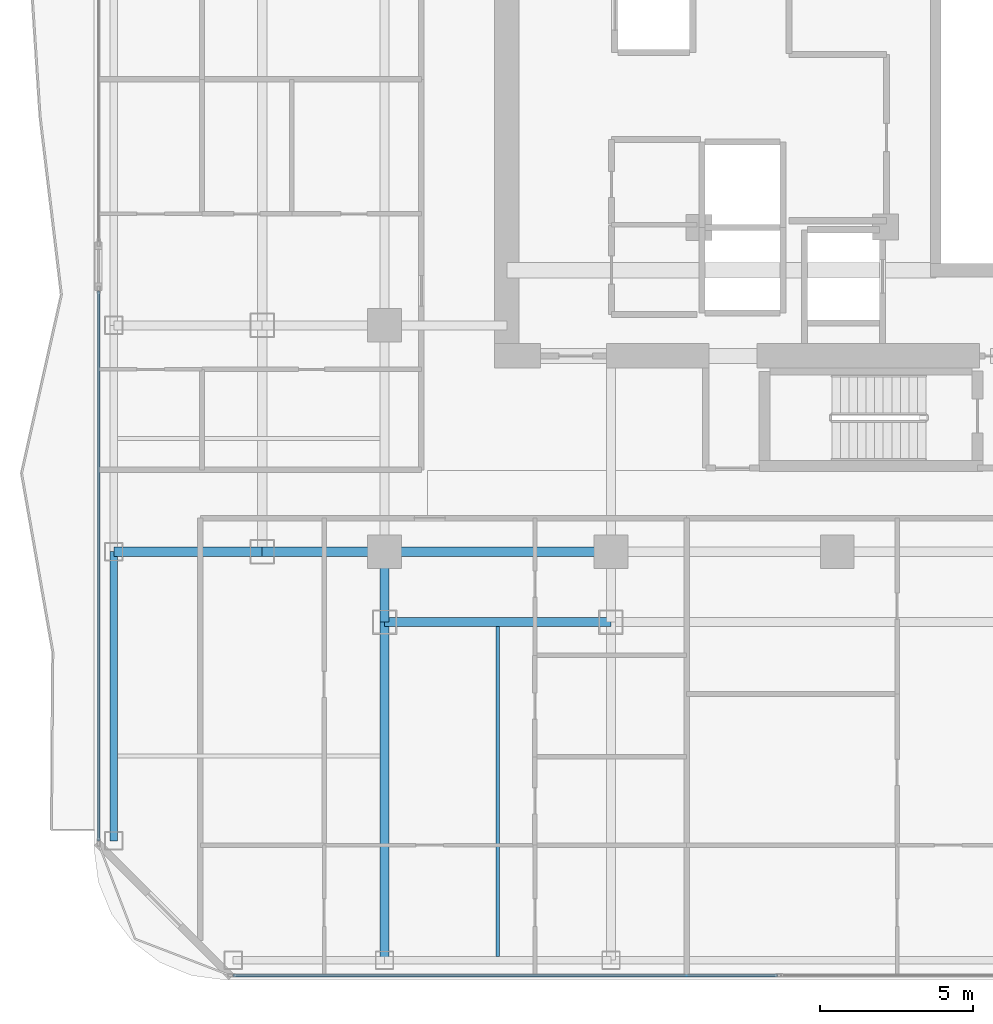
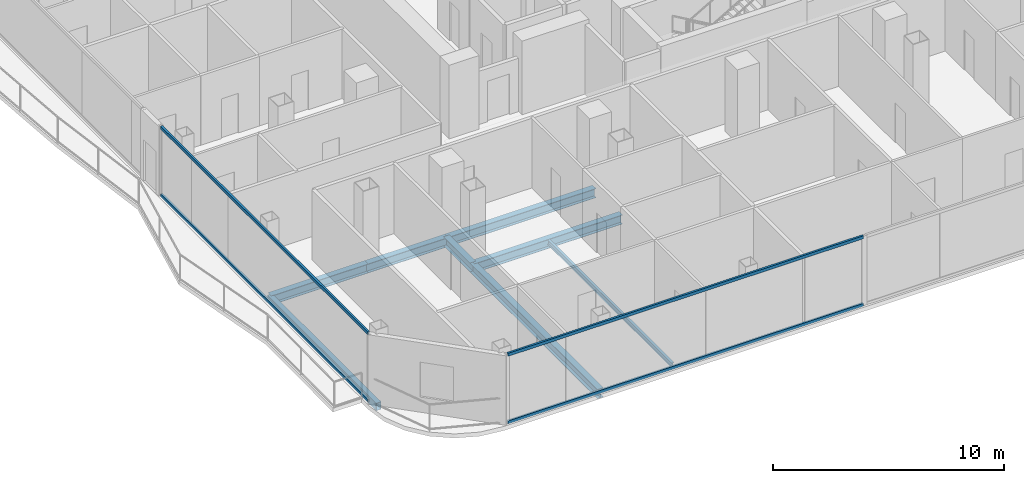
# One storey, part 3 of 23: 8 beams, 4 members, 2 elements without a shape of their own.
"""IFC4 building model written with IfcOpenShell, lengths in metres."""

from ifc_helpers import new_model, si_unit, direction, frame, origin, origin_2d, place, context, subcontext, project, spatial, hollow_rectangle, i_section, extrude, material, layer, layer_set, material_profile, profile_set, type_object, element, aggregate, save


model = new_model("IFC4")

# Units and contexts
model_context = context("Model", 3, precision=1e-05, world=origin(), true_north=direction((0.0, 1.0)))
body_context = subcontext(model_context, "Body", "Model", "MODEL_VIEW")
ifc_project = project(units=[si_unit("LENGTHUNIT", "METRE"), si_unit("AREAUNIT", "SQUARE_METRE"), si_unit("VOLUMEUNIT", "CUBIC_METRE"), si_unit("PLANEANGLEUNIT", "RADIAN"), si_unit("MASSUNIT", "GRAM", prefix="KILO")], contexts=[model_context])

# Site, building, storey
site_placement = place(None, origin())
site = spatial("IfcSite", under=ifc_project, at=site_placement, CompositionType="ELEMENT")
building_placement = place(site_placement, origin())
building = spatial("IfcBuilding", under=site, at=building_placement, Name="Khorvyn Point Tower", CompositionType="ELEMENT")
storey_placement = place(building_placement, frame((0.0, 0.0, 195.300048828125)))
storey = spatial("IfcBuildingStorey", under=building, at=storey_placement, Name="L48", CompositionType="ELEMENT", Elevation=195.300048828125)

# Curtain wall, members
ifc_material_1 = material(Name="Anodised aluminium 6063-T6 and laminated Low-E glass", Category="aluminium")
ifc_layer = layer(ifc_material_1, 0.18994140625)
ifc_layer_set = layer_set([ifc_layer], Name="Stick-Built Acoustic Curtain Wall CW-SYS-03")
curtain_wall_type = type_object("IfcCurtainWallType", Name="Stick-Built Acoustic Curtain Wall CW-SYS-03", PredefinedType="NOTDEFINED", material=ifc_layer_set)
curtain_wall_1_placement = place(storey_placement, origin())
curtain_wall_1 = element("IfcCurtainWall", 1, at=curtain_wall_1_placement, inside=storey, type_object=curtain_wall_type, Name="Curtain Wall", PredefinedType="NOTDEFINED")
ifc_material_2 = material(Name="Anodised aluminium 6063-T6", Category="aluminium")
ifc_material_profile_1 = material_profile(ifc_material_2, hollow_rectangle(XDim=0.10009765625, YDim=0.159912109375, WallThickness=0.00439453125, at=origin_2d()))
ifc_profile_set_1 = profile_set([ifc_material_profile_1], Name="Anodised aluminium 6063-T6 ALU-TRN-100x160")
member_type = type_object("IfcMemberType", Name="Anodised Aluminium 6063-T6 Transom ALU-TRN-100x160", PredefinedType="USERDEFINED", material=ifc_profile_set_1)
member_1_placement = place(storey_placement, frame((-1.949951171875, -28.64990234375, 0.050048828125), z_axis=(-1.0, 0.0, 0.0), x_axis=(0.0, -1.0, 0.0)))
member_1 = element("IfcMember", 2, at=member_1_placement, type_object=member_type, Name="Transom", ObjectType="TRANSOM", PredefinedType="USERDEFINED", context=body_context, shape_type="SweptSolid", body=[
    extrude(hollow_rectangle(XDim=0.10009765625, YDim=0.159912109375, WallThickness=0.00439453125, at=origin_2d()), origin(), (0.0, 0.0, 1.0), 17.800048828125),
])
member_2_placement = place(storey_placement, frame((-1.949951171875, -28.64990234375, 3.6298828125), z_axis=(-1.0, 0.0, 0.0), x_axis=(0.0, -1.0, 0.0)))
member_2 = element("IfcMember", 3, at=member_2_placement, type_object=member_type, Name="Transom", ObjectType="TRANSOM", PredefinedType="USERDEFINED", context=body_context, shape_type="SweptSolid", body=[
    extrude(hollow_rectangle(XDim=0.10009765625, YDim=0.159912109375, WallThickness=0.00439453125, at=origin_2d()), origin(), (0.0, 0.0, 1.0), 17.800048828125),
])
aggregate(curtain_wall_1, [member_1, member_2])

curtain_wall_2_placement = place(storey_placement, origin())
curtain_wall_2 = element("IfcCurtainWall", 4, at=curtain_wall_2_placement, inside=storey, type_object=curtain_wall_type, Name="Curtain Wall", PredefinedType="NOTDEFINED")
member_3_placement = place(storey_placement, frame((-24.14990234375, -24.25, 0.050048828125), z_axis=(0.0, 1.0, 0.0), x_axis=(-1.0, 0.0, 0.0)))
member_3 = element("IfcMember", 5, at=member_3_placement, type_object=member_type, Name="Transom", ObjectType="TRANSOM", PredefinedType="USERDEFINED", context=body_context, shape_type="SweptSolid", body=[
    extrude(hollow_rectangle(XDim=0.10009765625, YDim=0.159912109375, WallThickness=0.00439453125, at=origin_2d()), origin(), (0.0, 0.0, 1.0), 17.966064453125),
])
member_4_placement = place(storey_placement, frame((-24.14990234375, -24.25, 3.6298828125), z_axis=(0.0, 1.0, 0.0), x_axis=(-1.0, 0.0, 0.0)))
member_4 = element("IfcMember", 6, at=member_4_placement, type_object=member_type, Name="Transom", ObjectType="TRANSOM", PredefinedType="USERDEFINED", context=body_context, shape_type="SweptSolid", body=[
    extrude(hollow_rectangle(XDim=0.10009765625, YDim=0.159912109375, WallThickness=0.00439453125, at=origin_2d()), origin(), (0.0, 0.0, 1.0), 17.966064453125),
])
aggregate(curtain_wall_2, [member_3, member_4])

# Beams
ifc_material_3 = material(Name="Steel S355", Category="steel")
ifc_material_profile_2 = material_profile(ifc_material_3, i_section(OverallWidth=0.125, OverallDepth=0.25, WebThickness=0.006103515625, FlangeThickness=0.009033203125, at=origin_2d()))
ifc_profile_set_2 = profile_set([ifc_material_profile_2], Name="Steel S355 H250x125x6x9")
beam_type_1 = type_object("IfcBeamType", Name="Steel S355 Joist H250x125x6x9", PredefinedType="JOIST", material=ifc_profile_set_2)
beam_1_placement = place(storey_placement, frame((-11.10009765625, -28.02490234375, -0.344970703125), z_axis=(0.0, 1.0, 0.0), x_axis=(-1.0, 0.0, 0.0)))
element("IfcBeam", 7, at=beam_1_placement, inside=storey, type_object=beam_type_1, Name="Beam", PredefinedType="JOIST", context=body_context, shape_type="SweptSolid", body=[
    extrude(i_section(OverallWidth=0.125, OverallDepth=0.25, WebThickness=0.006103515625, FlangeThickness=0.009033203125, at=origin_2d()), origin(), (0.0, 0.0, 1.0), 10.77490234375),
])
ifc_material_profile_3 = material_profile(ifc_material_3, i_section(OverallWidth=0.300048828125, OverallDepth=0.488037109375, WebThickness=0.010986328125, FlangeThickness=0.01806640625, at=origin_2d()))
ifc_profile_set_3 = profile_set([ifc_material_profile_3], Name="Steel S355 H488x300x11x18")
beam_type_2 = type_object("IfcBeamType", Name="Steel S355 Spandrel H488x300x11x18", PredefinedType="SPANDREL", material=ifc_profile_set_3)
beam_2_placement = place(storey_placement, frame((-23.64990234375, -14.800048828125, -0.464111328125), z_axis=(1.0, 0.0, 0.0), x_axis=(0.0, 1.0, 0.0)))
element("IfcBeam", 8, at=beam_2_placement, inside=storey, type_object=beam_type_2, Name="Beam", PredefinedType="SPANDREL", context=body_context, shape_type="SweptSolid", body=[
    extrude(i_section(OverallWidth=0.300048828125, OverallDepth=0.488037109375, WebThickness=0.010986328125, FlangeThickness=0.01806640625, at=origin_2d()), origin(), (0.0, 0.0, 1.0), 4.849853515625),
])
beam_3_placement = place(storey_placement, frame((-18.800048828125, -14.800048828125, -0.464111328125), z_axis=(1.0, 0.0, 0.0), x_axis=(0.0, 1.0, 0.0)))
element("IfcBeam", 9, at=beam_3_placement, inside=storey, type_object=beam_type_2, Name="Beam", PredefinedType="SPANDREL", context=body_context, shape_type="SweptSolid", body=[
    extrude(i_section(OverallWidth=0.300048828125, OverallDepth=0.488037109375, WebThickness=0.010986328125, FlangeThickness=0.01806640625, at=origin_2d()), origin(), (0.0, 0.0, 1.0), 4.0),
])
for number, where, z_axis, x_axis, name in (
    (10, (-14.800048828125, -14.800048828125, -0.464111328125), (1.0, 0.0, 0.0), (0.0, 1.0, 0.0), "Beam"),
    (11, (-14.800048828125, -17.10009765625, -0.464111328125), (1.0, 0.0, 0.0), (0.0, 1.0, 0.0), "Beam"),
):
    element("IfcBeam", number, at=place(storey_placement, frame(where, z_axis=z_axis, x_axis=x_axis)), inside=storey, type_object=beam_type_2, Name=name, PredefinedType="SPANDREL", context=body_context, shape_type="SweptSolid", body=[
        extrude(i_section(OverallWidth=0.300048828125, OverallDepth=0.488037109375, WebThickness=0.010986328125, FlangeThickness=0.01806640625, at=origin_2d()), origin(), (0.0, 0.0, 1.0), 7.400146484375),
    ])
beam_4_placement = place(storey_placement, frame((-14.800048828125, -28.14990234375, -0.464111328125), z_axis=(0.0, 1.0, 0.0), x_axis=(-1.0, 0.0, 0.0)))
element("IfcBeam", 12, at=beam_4_placement, inside=storey, type_object=beam_type_2, Name="Beam", PredefinedType="SPANDREL", context=body_context, shape_type="SweptSolid", body=[
    extrude(i_section(OverallWidth=0.300048828125, OverallDepth=0.488037109375, WebThickness=0.010986328125, FlangeThickness=0.01806640625, at=origin_2d()), origin(), (0.0, 0.0, 1.0), 11.0498046875),
])
beam_5_placement = place(storey_placement, frame((-14.800048828125, -17.10009765625, -0.464111328125), z_axis=(0.0, 1.0, 0.0), x_axis=(-1.0, 0.0, 0.0)))
element("IfcBeam", 13, at=beam_5_placement, inside=storey, type_object=beam_type_2, Name="Beam", PredefinedType="SPANDREL", context=body_context, shape_type="SweptSolid", body=[
    extrude(i_section(OverallWidth=0.300048828125, OverallDepth=0.488037109375, WebThickness=0.010986328125, FlangeThickness=0.01806640625, at=origin_2d()), origin(), (0.0, 0.0, 1.0), 2.300048828125),
])
ifc_material_profile_4 = material_profile(ifc_material_3, hollow_rectangle(XDim=0.25, YDim=0.39990234375, WallThickness=0.01611328125, at=origin_2d()))
ifc_profile_set_4 = profile_set([ifc_material_profile_4], Name="Steel S355 RHS400x250x16")
beam_type_3 = type_object("IfcBeamType", Name="Steel S355 Spandrel RHS400x250x16", PredefinedType="SPANDREL", material=ifc_profile_set_4)
beam_6_placement = place(storey_placement, frame((-23.64990234375, -24.25, -0.420166015625), z_axis=(0.0, 1.0, 0.0), x_axis=(-1.0, 0.0, 0.0)))
element("IfcBeam", 14, at=beam_6_placement, inside=storey, type_object=beam_type_3, Name="Beam", PredefinedType="SPANDREL", context=body_context, shape_type="SweptSolid", body=[
    extrude(hollow_rectangle(XDim=0.25, YDim=0.39990234375, WallThickness=0.01611328125, at=origin_2d()), origin(), (0.0, 0.0, 1.0), 9.449951171875),
])

save(model, "model.ifc")
